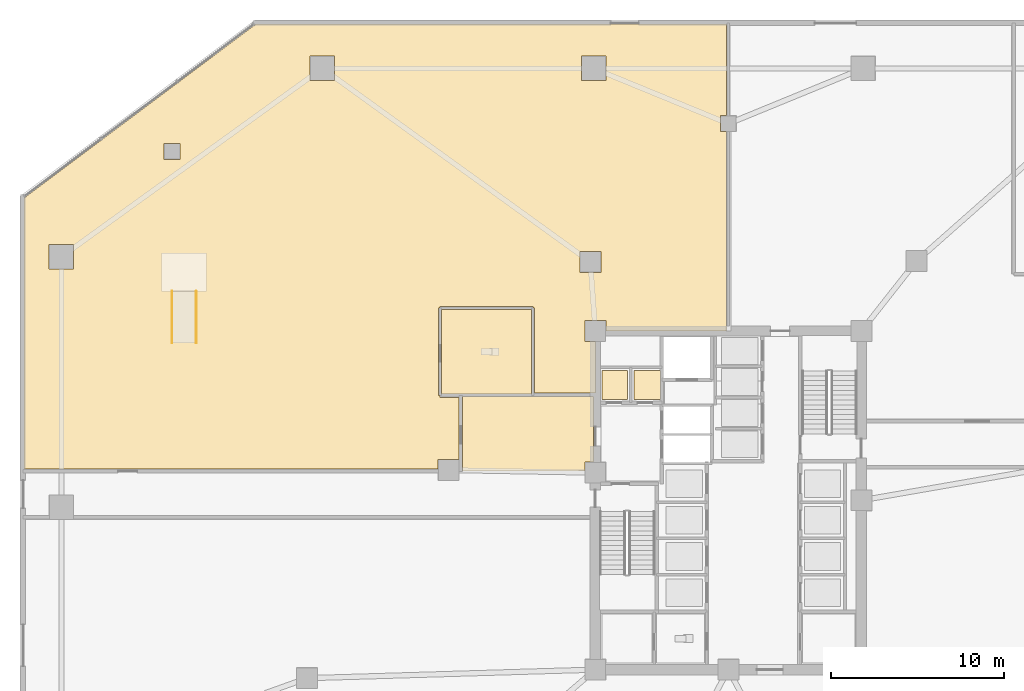
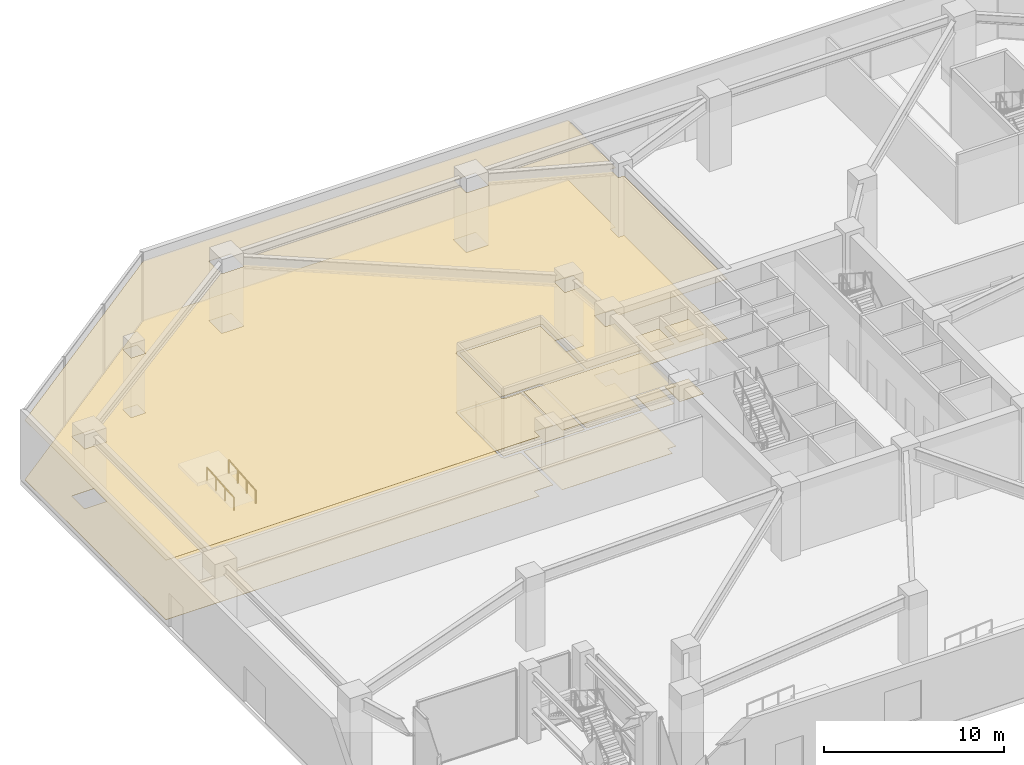
# One storey, part 16 of 22: 10 coverings, 2 railings.
"""IFC4 building model written with IfcOpenShell, lengths in metres."""

import ifcopenshell
import ifcopenshell.guid

model = None  # the IFC model being written
_history = None  # IfcOwnerHistory: only IFC2X3 demands one
_inside = {}  # id of a spatial element -> (the spatial element, [elements in it])
_under = {}  # id of a project, library or spatial element -> (it, [spatial elements below it])
_declared = {}  # id of a project -> (the project, [libraries it declares])
_typed = {}  # id of a type object -> (the type object, [elements of that type])
_made_of = {}  # id of a material, layer set ... -> (it, [elements and type objects made of it])


def new_model(schema):
    """Start an empty IFC model of exactly this schema.

    Asked for "IFC4X3", IfcOpenShell would pick the latest addendum, in which some entities
    have other attributes; the version numbers below select the first issue.
    IFC2X3 requires an IfcOwnerHistory on every rooted entity: one is made here for all.
    """
    global model, _history
    if schema == "IFC4X3":
        model = ifcopenshell.file(schema_version=(4, 3, 0, 0))
    else:
        model = ifcopenshell.file(schema=schema)
    _inside.clear()
    _under.clear()
    _declared.clear()
    _typed.clear()
    _made_of.clear()
    _history = None
    if model.schema == "IFC2X3":
        org = make("IfcOrganization", Name="unknown")
        user = make(
            "IfcPersonAndOrganization",
            ThePerson=make("IfcPerson", FamilyName="unknown"),
            TheOrganization=org,
        )
        app = make(
            "IfcApplication",
            ApplicationDeveloper=org,
            Version="unknown",
            ApplicationFullName="unknown",
            ApplicationIdentifier="unknown",
        )
        _history = make(
            "IfcOwnerHistory",
            OwningUser=user,
            OwningApplication=app,
            ChangeAction="ADDED",
            CreationDate=0,
        )
    return model


def make(cls, **values):
    """One entity of the class cls with the attributes given. An attribute that is None is left unset."""
    return model.create_entity(
        cls, **{name: value for name, value in values.items() if value is not None}
    )


def rooted(cls, **values):
    """An entity with a GlobalId (a new one), such as an element, a storey or a relation."""
    return make(cls, GlobalId=ifcopenshell.guid.new(), OwnerHistory=_history, **values)


def si_unit(unit_type, name, prefix=None):
    """IfcSIUnit, for example si_unit("LENGTHUNIT", "METRE", prefix="MILLI")."""
    return make("IfcSIUnit", UnitType=unit_type, Prefix=prefix, Name=name)


def assignment(units):
    """IfcUnitAssignment: the units of a project."""
    return None if units is None else make("IfcUnitAssignment", Units=units)


def point(xyz):
    """IfcCartesianPoint."""
    return None if xyz is None else make("IfcCartesianPoint", Coordinates=xyz)


def direction(xyz):
    """IfcDirection."""
    return None if xyz is None else make("IfcDirection", DirectionRatios=xyz)


def frame(location, z_axis=None, x_axis=None):
    """IfcAxis2Placement3D, a coordinate frame: its origin and axes. An axis left out is left unset."""
    return make(
        "IfcAxis2Placement3D",
        Location=point(location),
        Axis=direction(z_axis),
        RefDirection=direction(x_axis),
    )


def frame_2d(location, x_axis=None):
    """IfcAxis2Placement2D, a coordinate frame in the plane: its origin and x axis."""
    return make(
        "IfcAxis2Placement2D", Location=point(location), RefDirection=direction(x_axis)
    )


def origin():
    """The frame at (0, 0, 0) with its axes left unset."""
    return frame((0.0, 0.0, 0.0))


def origin_2d():
    """The frame at (0, 0) in the plane with its x axis left unset."""
    return frame_2d((0.0, 0.0))


def place(relative_to, where):
    """IfcLocalPlacement: puts the frame where relative to a parent placement (None: the world)."""
    return make(
        "IfcLocalPlacement", PlacementRelTo=relative_to, RelativePlacement=where
    )


def context(
    kind, dimensions, precision=None, world=None, true_north=None, identifier=None
):
    """IfcGeometricRepresentationContext, for example the 3D "Model" context."""
    return make(
        "IfcGeometricRepresentationContext",
        ContextIdentifier=identifier,
        ContextType=kind,
        CoordinateSpaceDimension=dimensions,
        Precision=precision,
        WorldCoordinateSystem=world,
        TrueNorth=true_north,
    )


def subcontext(parent, identifier, kind, view, scale=None):
    """IfcGeometricRepresentationSubContext, for example "Body" below "Model"."""
    return make(
        "IfcGeometricRepresentationSubContext",
        ContextIdentifier=identifier,
        ContextType=kind,
        ParentContext=parent,
        TargetScale=scale,
        TargetView=view,
    )


def project(units=None, contexts=None):
    """IfcProject with its units and contexts."""
    return rooted(
        "IfcProject",
        Name="project",
        RepresentationContexts=contexts,
        UnitsInContext=assignment(units),
    )


def spatial(cls, under=None, at=None, **own):
    """A site, building, storey or space (cls), placed at a placement, below another one or the project."""
    s = rooted(cls, ObjectPlacement=at, **own)
    if under is not None:
        _under.setdefault(under.id(), (under, []))[1].append(s)
    return s


def polyline(points):
    """IfcPolyline through the points."""
    return make("IfcPolyline", Points=[point(p) for p in points])


def profile(cls, at=None, kind="AREA", **sizes):
    """A parametric profile (cls). Its sizes go by their IFC names, for example OverallWidth=200.0."""
    return make(cls, ProfileType=kind, Position=at, **sizes)


def circle(**sizes):
    """IfcCircleProfileDef."""
    return profile("IfcCircleProfileDef", **sizes)


def outline(outer, holes=None, kind="AREA"):
    """IfcArbitraryClosedProfileDef: a profile drawn as a closed curve; with holes, ...WithVoids."""
    if holes is None:
        return make("IfcArbitraryClosedProfileDef", ProfileType=kind, OuterCurve=outer)
    return make(
        "IfcArbitraryProfileDefWithVoids",
        ProfileType=kind,
        OuterCurve=outer,
        InnerCurves=holes,
    )


def extrude(swept, where, along, depth):
    """IfcExtrudedAreaSolid: the profile swept, set in the frame where, extruded along a direction by depth."""
    return make(
        "IfcExtrudedAreaSolid",
        SweptArea=swept,
        Position=where,
        ExtrudedDirection=direction(along),
        Depth=depth,
    )


def shape(context_of_items, identifier, shape_type, items):
    """IfcShapeRepresentation: the items that make up one representation, for example the "Body"."""
    return make(
        "IfcShapeRepresentation",
        ContextOfItems=context_of_items,
        RepresentationIdentifier=identifier,
        RepresentationType=shape_type,
        Items=items,
    )


def material(Name=None, Category=None):
    """IfcMaterial."""
    return make("IfcMaterial", Name=Name, Category=Category)


def layer(
    of_material, thickness, ventilated=None, Name=None, Category=None, Priority=None
):
    """IfcMaterialLayer: one layer of a wall or slab, of a material (None: an air gap)."""
    return make(
        "IfcMaterialLayer",
        Material=of_material,
        LayerThickness=thickness,
        IsVentilated=ventilated,
        Name=Name,
        Category=Category,
        Priority=Priority,
    )


def layer_set(layers, Name=None):
    """IfcMaterialLayerSet."""
    return make("IfcMaterialLayerSet", MaterialLayers=layers, LayerSetName=Name)


def made_of(thing, what):
    """Note that an element or type object is made of a material, layer set ...; save() writes the relation."""
    if what is not None:
        _made_of.setdefault(what.id(), (what, []))[1].append(thing)
    return thing


def type_object(cls, material=None, **own):
    """A type object (cls), such as IfcWallType, which elements share."""
    return made_of(rooted(cls, **own), material)


def element(
    cls,
    number,
    at=None,
    inside=None,
    cuts=None,
    type_object=None,
    material=None,
    context=None,
    identifier="Body",
    shape_type=None,
    held_by="IfcProductDefinitionShape",
    body=None,
    shapes=None,
    **own,
):
    """One element of the class cls, such as IfcWall. Its Tag is "e" and its number.

    at: its placement. inside: the storey or other place that contains it. cuts: it is an
    opening in that element (IfcRelVoidsElement). A single representation is given by context,
    identifier, shape_type and body (its items); several are given by shapes. held_by: the class
    of the entity that holds the representations. save() writes the other relations.
    """
    e = rooted(cls, Tag="e%d" % number, ObjectPlacement=at, **own)
    if body is not None:
        shapes = [shape(context, identifier, shape_type, body)]
    if shapes is not None:
        e.Representation = make(held_by, Representations=shapes)
    if inside is not None:
        _inside.setdefault(inside.id(), (inside, []))[1].append(e)
    if cuts is not None:
        rooted(
            "IfcRelVoidsElement", RelatingBuildingElement=cuts, RelatedOpeningElement=e
        )
    if type_object is not None:
        _typed.setdefault(type_object.id(), (type_object, []))[1].append(e)
    return made_of(e, material)


def aggregate(whole, parts):
    """IfcRelAggregates: a whole, such as a stair, and the parts it consists of."""
    return rooted("IfcRelAggregates", RelatingObject=whole, RelatedObjects=parts)


def save(model, path):
    """Write the relations noted so far, then the file.

    IfcRelAggregates (storeys below a building ...), IfcRelContainedInSpatialStructure (elements
    in a storey), IfcRelDefinesByType, IfcRelAssociatesMaterial and IfcRelDeclares: one each for
    every whole, place, type object, material and project.
    """
    for whole, parts in _under.values():
        aggregate(whole, parts)
    for where, things in _inside.values():
        rooted(
            "IfcRelContainedInSpatialStructure",
            RelatedElements=things,
            RelatingStructure=where,
        )
    for kind, things in _typed.values():
        rooted("IfcRelDefinesByType", RelatedObjects=things, RelatingType=kind)
    for what, things in _made_of.values():
        rooted("IfcRelAssociatesMaterial", RelatedObjects=things, RelatingMaterial=what)
    for by, libraries in _declared.values():
        rooted("IfcRelDeclares", RelatingContext=by, RelatedDefinitions=libraries)
    model.write(path)


model = new_model("IFC4")

# Units and contexts
model_context = context("Model", 3, precision=1e-05, world=origin(), true_north=direction((0.0, 1.0)))
body_context = subcontext(model_context, "Body", "Model", "MODEL_VIEW")
ifc_project = project(units=[si_unit("LENGTHUNIT", "METRE"), si_unit("AREAUNIT", "SQUARE_METRE"), si_unit("VOLUMEUNIT", "CUBIC_METRE"), si_unit("PLANEANGLEUNIT", "RADIAN"), si_unit("MASSUNIT", "GRAM", prefix="KILO")], contexts=[model_context])

# Site, building, storey
site_placement = place(None, origin())
site = spatial("IfcSite", under=ifc_project, at=site_placement, CompositionType="ELEMENT")
building_placement = place(site_placement, origin())
building = spatial("IfcBuilding", under=site, at=building_placement, Name="Savorim Split Tower", CompositionType="ELEMENT")
storey_placement = place(building_placement, origin())
storey = spatial("IfcBuildingStorey", under=building, at=storey_placement, Name="L00", CompositionType="ELEMENT", Elevation=0.0)

# Coverings
ifc_material_1 = material(Name="Mineral Fibre Acoustic Ceiling")
ifc_layer_1 = layer(ifc_material_1, 0.02490234375)
ifc_layer_set_1 = layer_set([ifc_layer_1], Name="COV-CEIL-25")
covering_type_1 = type_object("IfcCoveringType", Name="COV-CEIL-25", PredefinedType="CEILING", material=ifc_layer_set_1)
covering_1_placement = place(storey_placement, frame((0.0, 0.0, 4.0400390625)))
element("IfcCovering", 1, at=covering_1_placement, inside=storey, type_object=covering_type_1, Name="L00 Electrical Riser Acoustic Ceiling", PredefinedType="CEILING", context=body_context, shape_type="SweptSolid", body=[
    extrude(outline(polyline([(-7.320068359375, 7.919921875), (-7.320068359375, 6.22998046875), (-5.830078125, 6.22998046875), (-5.830078125, 7.919921875), (-7.320068359375, 7.919921875)])), origin(), (0.0, 0.0, 1.0), 0.02490234375),
])
covering_2_placement = place(storey_placement, frame((0.0, 0.0, 4.0400390625)))
element("IfcCovering", 2, at=covering_2_placement, inside=storey, type_object=covering_type_1, Name="L00 Telecom Riser Acoustic Ceiling", PredefinedType="CEILING", context=body_context, shape_type="SweptSolid", body=[
    extrude(outline(polyline([(-5.469970703125, 7.919921875), (-5.469970703125, 6.22998046875), (-3.929931640625, 6.22998046875), (-3.929931640625, 7.919921875), (-5.469970703125, 7.919921875)])), origin(), (0.0, 0.0, 1.0), 0.02490234375),
])
covering_3_placement = place(storey_placement, frame((0.0, 0.0, 4.0400390625)))
element("IfcCovering", 3, at=covering_3_placement, inside=storey, type_object=covering_type_1, Name="L00 Fire Command Room Acoustic Ceiling", PredefinedType="CEILING", context=body_context, shape_type="SweptSolid", body=[
    extrude(outline(polyline([(-15.39990234375, 6.39990234375), (-15.39990234375, 2.10009765625), (-8.31005859375, 2.10009765625), (-8.31005859375, 2.610107421875), (-7.800048828125, 2.610107421875), (-7.800048828125, 6.39990234375), (-15.39990234375, 6.39990234375)])), origin(), (0.0, 0.0, 1.0), 0.02490234375),
])
covering_4_placement = place(storey_placement, frame((0.0, 0.0, 4.0400390625)))
element("IfcCovering", 4, at=covering_4_placement, inside=storey, type_object=covering_type_1, Name="L00 Public WC Acoustic Ceiling", PredefinedType="CEILING", context=body_context, shape_type="SweptSolid", body=[
    extrude(outline(polyline([(-16.60009765625, 11.449951171875), (-16.60009765625, 6.550048828125), (-11.39990234375, 6.550048828125), (-11.39990234375, 11.449951171875), (-16.60009765625, 11.449951171875)])), origin(), (0.0, 0.0, 1.0), 0.02490234375),
])
covering_5_placement = place(storey_placement, frame((0.0, 0.0, 4.0400390625)))
element("IfcCovering", 5, at=covering_5_placement, inside=storey, type_object=covering_type_1, Name="L00 Co-Living Reception Hall Acoustic Ceiling", PredefinedType="CEILING", context=body_context, shape_type="SweptSolid", body=[
    extrude(outline(polyline([(-0.10009765625, 27.97998046875), (-27.32666015625, 27.97998046875), (-40.780029296875, 17.889892578125), (-40.780029296875, 2.199951171875), (-16.798583984375, 2.199951171875), (-16.798583984375, 2.763671875), (-15.60009765625, 2.763671875), (-15.60009765625, 6.360107421875), (-16.679931640625, 6.360107421875), (-16.679931640625, 6.460693359375), (-16.684814453125, 6.465087890625), (-16.69287109375, 6.473876953125), (-16.697265625, 6.47998046875), (-16.77490234375, 6.47998046875), (-16.77490234375, 11.52001953125), (-16.697265625, 11.52001953125), (-16.69287109375, 11.526123046875), (-16.684814453125, 11.534912109375), (-16.679931640625, 11.539306640625), (-16.679931640625, 11.614990234375), (-11.320068359375, 11.614990234375), (-11.320068359375, 11.539306640625), (-11.315185546875, 11.534912109375), (-11.30712890625, 11.526123046875), (-11.302734375, 11.52001953125), (-11.22509765625, 11.52001953125), (-11.22509765625, 6.60009765625), (-7.699951171875, 6.60009765625), (-7.699951171875, 9.590087890625), (-8.31005859375, 9.590087890625), (-8.31005859375, 10.81005859375), (-7.090087890625, 10.81005859375), (-7.090087890625, 10.199951171875), (-0.10009765625, 10.199951171875), (-0.10009765625, 21.739990234375), (-0.4599609375, 21.739990234375), (-0.4599609375, 22.659912109375), (-0.10009765625, 22.659912109375), (-0.10009765625, 27.97998046875)]), holes=[polyline([(-7.090087890625, 24.68994140625), (-7.090087890625, 26.110107421875), (-8.510009765625, 26.110107421875), (-8.510009765625, 24.68994140625), (-7.090087890625, 24.68994140625)]), polyline([(-22.7900390625, 26.110107421875), (-24.2099609375, 26.110107421875), (-24.2099609375, 24.68994140625), (-22.7900390625, 24.68994140625), (-22.7900390625, 26.110107421875)]), polyline([(-37.889892578125, 15.2099609375), (-39.31005859375, 15.2099609375), (-39.31005859375, 13.7900390625), (-37.889892578125, 13.7900390625), (-37.889892578125, 15.2099609375)]), polyline([(-8.6025390625, 13.591796875), (-7.382568359375, 13.591796875), (-7.382568359375, 14.811767578125), (-8.6025390625, 14.811767578125), (-8.6025390625, 13.591796875)]), polyline([(-31.739990234375, 20.139892578125), (-31.739990234375, 21.06005859375), (-32.659912109375, 21.06005859375), (-32.659912109375, 20.139892578125), (-31.739990234375, 20.139892578125)])]), origin(), (0.0, 0.0, 1.0), 0.02490234375),
])
ifc_material_2 = material(Name="Porcelain Stoneware Flooring", Category="masonry")
ifc_layer_2 = layer(ifc_material_2, 0.02001953125)
ifc_layer_set_2 = layer_set([ifc_layer_2], Name="COV-FLOR-20")
covering_type_2 = type_object("IfcCoveringType", Name="COV-FLOR-20", PredefinedType="FLOORING", material=ifc_layer_set_2)
covering_6_placement = place(storey_placement, origin())
element("IfcCovering", 6, at=covering_6_placement, inside=storey, type_object=covering_type_2, Name="L00 Electrical Riser Porcelain Flooring", PredefinedType="FLOORING", context=body_context, shape_type="SweptSolid", body=[
    extrude(outline(polyline([(-7.320068359375, 7.919921875), (-7.320068359375, 6.22998046875), (-5.830078125, 6.22998046875), (-5.830078125, 7.919921875), (-7.320068359375, 7.919921875)])), origin(), (0.0, 0.0, 1.0), 0.02001953125),
])
covering_7_placement = place(storey_placement, origin())
element("IfcCovering", 7, at=covering_7_placement, inside=storey, type_object=covering_type_2, Name="L00 Telecom Riser Porcelain Flooring", PredefinedType="FLOORING", context=body_context, shape_type="SweptSolid", body=[
    extrude(outline(polyline([(-5.469970703125, 7.919921875), (-5.469970703125, 6.22998046875), (-3.929931640625, 6.22998046875), (-3.929931640625, 7.919921875), (-5.469970703125, 7.919921875)])), origin(), (0.0, 0.0, 1.0), 0.02001953125),
])
covering_8_placement = place(storey_placement, origin())
element("IfcCovering", 8, at=covering_8_placement, inside=storey, type_object=covering_type_2, Name="L00 Fire Command Room Porcelain Flooring", PredefinedType="FLOORING", context=body_context, shape_type="SweptSolid", body=[
    extrude(outline(polyline([(-15.39990234375, 6.39990234375), (-15.39990234375, 2.10009765625), (-8.31005859375, 2.10009765625), (-8.31005859375, 2.610107421875), (-7.800048828125, 2.610107421875), (-7.800048828125, 6.39990234375), (-15.39990234375, 6.39990234375)])), origin(), (0.0, 0.0, 1.0), 0.02001953125),
])
covering_9_placement = place(storey_placement, origin())
element("IfcCovering", 9, at=covering_9_placement, inside=storey, type_object=covering_type_2, Name="L00 Public WC Porcelain Flooring", PredefinedType="FLOORING", context=body_context, shape_type="SweptSolid", body=[
    extrude(outline(polyline([(-16.60009765625, 11.449951171875), (-16.60009765625, 6.550048828125), (-11.39990234375, 6.550048828125), (-11.39990234375, 11.449951171875), (-16.60009765625, 11.449951171875)])), origin(), (0.0, 0.0, 1.0), 0.02001953125),
])
covering_10_placement = place(storey_placement, origin())
element("IfcCovering", 10, at=covering_10_placement, inside=storey, type_object=covering_type_2, Name="L00 Co-Living Reception Hall Porcelain Flooring", PredefinedType="FLOORING", context=body_context, shape_type="SweptSolid", body=[
    extrude(outline(polyline([(-0.10009765625, 27.97998046875), (-27.32666015625, 27.97998046875), (-40.780029296875, 17.889892578125), (-40.780029296875, 2.199951171875), (-16.798583984375, 2.199951171875), (-16.798583984375, 2.763671875), (-15.60009765625, 2.763671875), (-15.60009765625, 6.360107421875), (-16.679931640625, 6.360107421875), (-16.679931640625, 6.460693359375), (-16.684814453125, 6.465087890625), (-16.69287109375, 6.473876953125), (-16.697265625, 6.47998046875), (-16.77490234375, 6.47998046875), (-16.77490234375, 11.52001953125), (-16.697265625, 11.52001953125), (-16.69287109375, 11.526123046875), (-16.684814453125, 11.534912109375), (-16.679931640625, 11.539306640625), (-16.679931640625, 11.614990234375), (-11.320068359375, 11.614990234375), (-11.320068359375, 11.539306640625), (-11.315185546875, 11.534912109375), (-11.30712890625, 11.526123046875), (-11.302734375, 11.52001953125), (-11.22509765625, 11.52001953125), (-11.22509765625, 6.60009765625), (-7.699951171875, 6.60009765625), (-7.699951171875, 9.590087890625), (-8.31005859375, 9.590087890625), (-8.31005859375, 10.81005859375), (-7.090087890625, 10.81005859375), (-7.090087890625, 10.199951171875), (-0.10009765625, 10.199951171875), (-0.10009765625, 21.739990234375), (-0.4599609375, 21.739990234375), (-0.4599609375, 22.659912109375), (-0.10009765625, 22.659912109375), (-0.10009765625, 27.97998046875)]), holes=[polyline([(-7.090087890625, 24.68994140625), (-7.090087890625, 26.110107421875), (-8.510009765625, 26.110107421875), (-8.510009765625, 24.68994140625), (-7.090087890625, 24.68994140625)]), polyline([(-22.7900390625, 26.110107421875), (-24.2099609375, 26.110107421875), (-24.2099609375, 24.68994140625), (-22.7900390625, 24.68994140625), (-22.7900390625, 26.110107421875)]), polyline([(-37.889892578125, 15.2099609375), (-39.31005859375, 15.2099609375), (-39.31005859375, 13.7900390625), (-37.889892578125, 13.7900390625), (-37.889892578125, 15.2099609375)]), polyline([(-8.6025390625, 13.591796875), (-7.382568359375, 13.591796875), (-7.382568359375, 14.811767578125), (-8.6025390625, 14.811767578125), (-8.6025390625, 13.591796875)]), polyline([(-31.739990234375, 20.139892578125), (-31.739990234375, 21.06005859375), (-32.659912109375, 21.06005859375), (-32.659912109375, 20.139892578125), (-31.739990234375, 20.139892578125)])]), origin(), (0.0, 0.0, 1.0), 0.02001953125),
])

# Railings
ifc_material_3 = material(Name="Galvanised Painted Steel Balustrade", Category="steel")
railing_type = type_object("IfcRailingType", Name="RLG-HR-900", PredefinedType="HANDRAIL", material=ifc_material_3)
for number, where, name in (
    (11, (-30.800048828125, 9.5, 0.0), "L00 West Bicycle Vestibule Ramp Handrail 1"),
    (12, (-32.199951171875, 9.5, 0.0), "L00 West Bicycle Vestibule Ramp Handrail 2"),
):
    element("IfcRailing", number, at=place(storey_placement, frame(where)), inside=storey, type_object=railing_type, Name=name, PredefinedType="HANDRAIL", context=body_context, shape_type="SweptSolid", body=[
        extrude(circle(Radius=0.02392578125, at=origin_2d()), frame((0.0, 0.0, 0.8759765625), z_axis=(0.0, 0.996815536467, 0.079741998075), x_axis=(-1.0, 0.0, 0.0)), (0.0, 0.0, 1.0), 3.009521484375),
        extrude(circle(Radius=0.02099609375, at=origin_2d()), origin(), (0.0, 0.0, 1.0), 0.851806640625),
        extrude(circle(Radius=0.02099609375, at=origin_2d()), frame((0.0, 1.0, 0.080078125)), (0.0, 0.0, 1.0), 0.851806640625),
        extrude(circle(Radius=0.02099609375, at=origin_2d()), frame((0.0, 2.0, 0.159912109375)), (0.0, 0.0, 1.0), 0.851806640625),
        extrude(circle(Radius=0.02099609375, at=origin_2d()), frame((0.0, 3.0, 0.239990234375)), (0.0, 0.0, 1.0), 0.851806640625),
    ])

save(model, "model.ifc")
